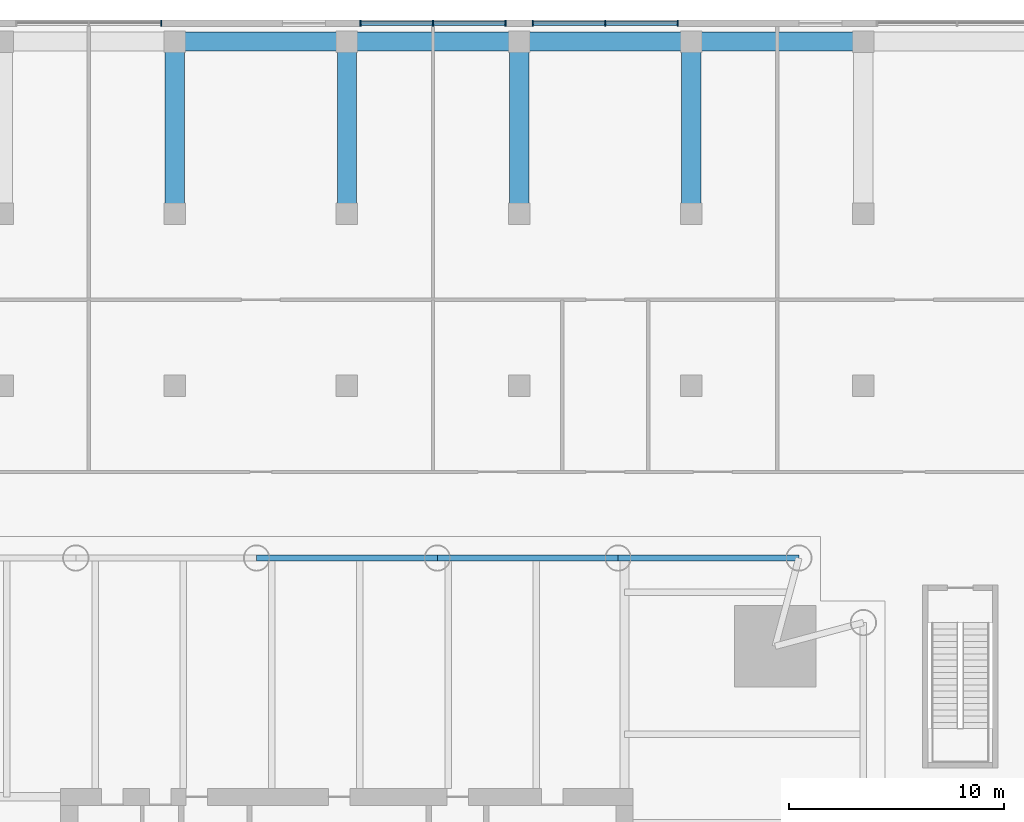
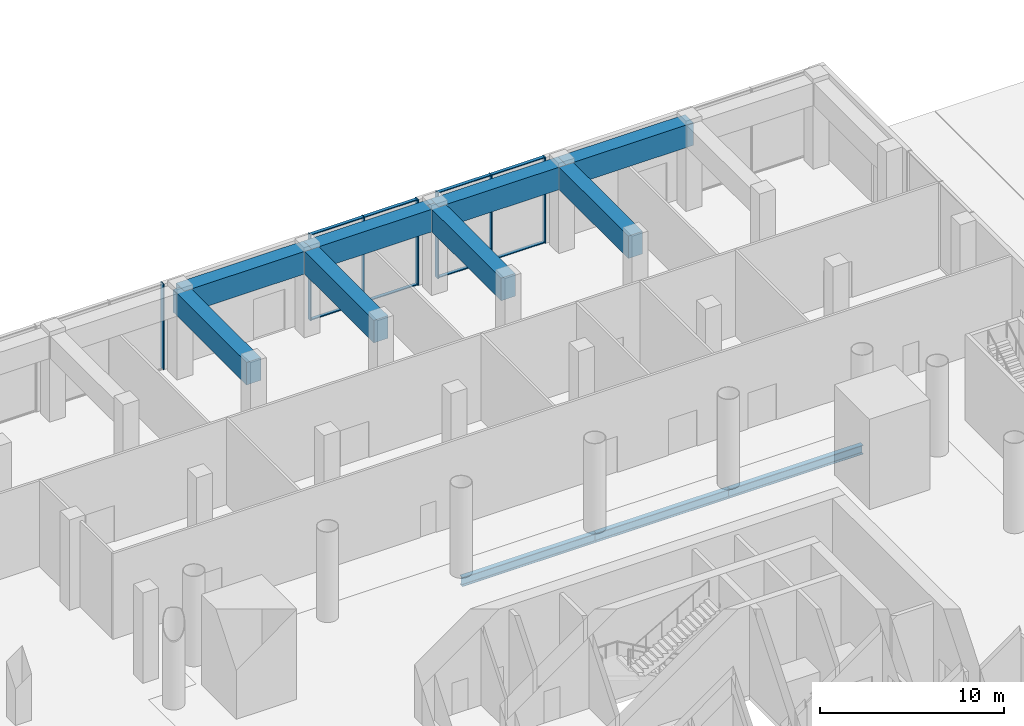
# One storey, part 15 of 39: 15 members, 11 beams, 3 elements without a shape of their own.
"""IFC4 building model written with IfcOpenShell, lengths in metres."""

from ifc_helpers import new_model, si_unit, direction, frame, origin, origin_2d, place, context, subcontext, project, spatial, rectangle, i_section, extrude, material, material_profile, profile_set, type_object, element, aggregate, save


model = new_model("IFC4")

# Units and contexts
model_context = context("Model", 3, precision=1e-05, world=origin(), true_north=direction((0.0, 1.0)))
body_context = subcontext(model_context, "Body", "Model", "MODEL_VIEW")
ifc_project = project(units=[si_unit("LENGTHUNIT", "METRE"), si_unit("AREAUNIT", "SQUARE_METRE"), si_unit("VOLUMEUNIT", "CUBIC_METRE"), si_unit("PLANEANGLEUNIT", "RADIAN"), si_unit("MASSUNIT", "GRAM", prefix="KILO")], contexts=[model_context])

# Site, building, storey
site_placement = place(None, origin())
site = spatial("IfcSite", under=ifc_project, at=site_placement, CompositionType="ELEMENT")
building_placement = place(site_placement, origin())
building = spatial("IfcBuilding", under=site, at=building_placement, Name="Ostroluk Exchange", CompositionType="ELEMENT")
storey_placement = place(building_placement, origin())
storey = spatial("IfcBuildingStorey", under=building, at=storey_placement, Name="L00", CompositionType="ELEMENT", Elevation=0.0)

# Beams
ifc_material_1 = material(Name="Steel S355", Category="steel")
ifc_material_profile_1 = material_profile(ifc_material_1, i_section(OverallWidth=0.300048828125, OverallDepth=0.60009765625, WebThickness=0.015380859375, FlangeThickness=0.030029296875, FilletRadius=0.027099609375, at=origin_2d()), Name="HEB 600")
ifc_profile_set_1 = profile_set([ifc_material_profile_1], Name="Steel S355")
beam_type_1 = type_object("IfcBeamType", Name="Moment-connected edge beam HEB 600", PredefinedType="SPANDREL", material=ifc_profile_set_1)
beam_1_placement = place(storey_placement, frame((66.0, 70.0, -0.60009765625), z_axis=(-1.0, 0.0, 0.0), x_axis=(0.0, -1.0, 0.0)))
element("IfcBeam", 1, at=beam_1_placement, inside=storey, type_object=beam_type_1, Name="T1 north edge beam 1", PredefinedType="SPANDREL", context=body_context, shape_type="SweptSolid", body=[
    extrude(i_section(OverallWidth=0.300048828125, OverallDepth=0.60009765625, WebThickness=0.015380859375, FlangeThickness=0.030029296875, FilletRadius=0.027099609375, at=origin_2d()), origin(), (0.0, 0.0, 1.0), 8.39990234375),
])
beam_2_placement = place(storey_placement, frame((57.60009765625, 70.0, -0.60009765625), z_axis=(-1.0, 0.0, 0.0), x_axis=(0.0, -1.0, 0.0)))
element("IfcBeam", 2, at=beam_2_placement, inside=storey, type_object=beam_type_1, Name="T1 north edge beam 2", PredefinedType="SPANDREL", context=body_context, shape_type="SweptSolid", body=[
    extrude(i_section(OverallWidth=0.300048828125, OverallDepth=0.60009765625, WebThickness=0.015380859375, FlangeThickness=0.030029296875, FilletRadius=0.027099609375, at=origin_2d()), origin(), (0.0, 0.0, 1.0), 8.400146484375),
])
beam_3_placement = place(storey_placement, frame((49.199951171875, 70.0, -0.60009765625), z_axis=(-1.0, 0.0, 0.0), x_axis=(0.0, -1.0, 0.0)))
element("IfcBeam", 3, at=beam_3_placement, inside=storey, type_object=beam_type_1, Name="T1 north edge beam 3", PredefinedType="SPANDREL", context=body_context, shape_type="SweptSolid", body=[
    extrude(i_section(OverallWidth=0.300048828125, OverallDepth=0.60009765625, WebThickness=0.015380859375, FlangeThickness=0.030029296875, FilletRadius=0.027099609375, at=origin_2d()), origin(), (0.0, 0.0, 1.0), 8.39990234375),
])
ifc_material_2 = material(Name="Concrete C50/60", Category="concrete")
ifc_material_profile_2 = material_profile(ifc_material_2, rectangle(XDim=0.89990234375, YDim=1.5, at=origin_2d()), Name="RC 900x1500")
ifc_profile_set_2 = profile_set([ifc_material_profile_2], Name="Concrete C50/60")
beam_type_2 = type_object("IfcBeamType", Name="Podium edge beam RC 900x1500", PredefinedType="BEAM", material=ifc_profile_set_2)
for number, where, z_axis, x_axis, name in (
    (4, (37.0, 94.0, 4.949951171875), (0.0, -1.0, 0.0), (1.0, 0.0, 0.0), "Terrace beam L01 west N 37"),
    (5, (45.0, 94.0, 4.949951171875), (0.0, -1.0, 0.0), (1.0, 0.0, 0.0), "Terrace beam L01 west N 45"),
    (6, (53.0, 94.0, 4.949951171875), (0.0, -1.0, 0.0), (1.0, 0.0, 0.0), "Terrace beam L01 west N 53"),
    (7, (61.0, 94.0, 4.949951171875), (0.0, -1.0, 0.0), (1.0, 0.0, 0.0), "Terrace beam L01 west N 61"),
    (8, (37.0, 94.0, 4.949951171875), (1.0, 0.0, 0.0), (0.0, 1.0, 0.0), "Terrace bay beam L01 Y94-37"),
    (9, (45.0, 94.0, 4.949951171875), (1.0, 0.0, 0.0), (0.0, 1.0, 0.0), "Terrace bay beam L01 Y94-45"),
    (10, (53.0, 94.0, 4.949951171875), (1.0, 0.0, 0.0), (0.0, 1.0, 0.0), "Terrace bay beam L01 Y94-53"),
    (11, (61.0, 94.0, 4.949951171875), (1.0, 0.0, 0.0), (0.0, 1.0, 0.0), "Terrace bay beam L01 Y94-61"),
):
    element("IfcBeam", number, at=place(storey_placement, frame(where, z_axis=z_axis, x_axis=x_axis)), inside=storey, type_object=beam_type_2, Name=name, PredefinedType="BEAM", context=body_context, shape_type="SweptSolid", body=[
        extrude(rectangle(XDim=0.89990234375, YDim=1.5, at=origin_2d()), origin(), (0.0, 0.0, 1.0), 8.0),
    ])

# Curtain wall, members
ifc_material_3 = material(Name="Laminated clear glass", Category="glass")
curtain_wall_type = type_object("IfcCurtainWallType", Name="Podium shopfront", PredefinedType="USERDEFINED", material=ifc_material_3)
curtain_wall_1_placement = place(storey_placement, origin())
curtain_wall_1 = element("IfcCurtainWall", 12, at=curtain_wall_1_placement, inside=storey, type_object=curtain_wall_type, Name="Podium west N shopfront 2", ObjectType="STICK SHOPFRONT", PredefinedType="USERDEFINED")
ifc_material_4 = material(Name="Aluminium mullion", Category="aluminium")
ifc_material_profile_3 = material_profile(ifc_material_4, rectangle(XDim=0.300048828125, YDim=0.06005859375, at=origin_2d()), Name="Shopfront mullion 60 x 300")
ifc_profile_set_3 = profile_set([ifc_material_profile_3], Name="Aluminium mullion")
member_type_1 = type_object("IfcMemberType", Name="Shopfront mullion 60 x 300", PredefinedType="MULLION", material=ifc_profile_set_3)
member_1_placement = place(storey_placement, frame((60.3701171875, 94.85009765625, 0.0), z_axis=(0.0, 0.0, 1.0), x_axis=(0.0, -1.0, 0.0)))
member_1 = element("IfcMember", 13, at=member_1_placement, type_object=member_type_1, Name="CW-SF1 mullion 1", PredefinedType="MULLION", context=body_context, shape_type="SweptSolid", body=[
    extrude(rectangle(XDim=0.300048828125, YDim=0.06005859375, at=origin_2d()), origin(), (0.0, 0.0, 1.0), 5.699951171875),
])
member_2_placement = place(storey_placement, frame((57.0, 94.85009765625, 0.0), z_axis=(0.0, 0.0, 1.0), x_axis=(0.0, -1.0, 0.0)))
member_2 = element("IfcMember", 14, at=member_2_placement, type_object=member_type_1, Name="CW-SF1 mullion 2", PredefinedType="MULLION", context=body_context, shape_type="SweptSolid", body=[
    extrude(rectangle(XDim=0.300048828125, YDim=0.06005859375, at=origin_2d()), origin(), (0.0, 0.0, 1.0), 5.699951171875),
])
member_3_placement = place(storey_placement, frame((53.6298828125, 94.85009765625, 0.0), z_axis=(0.0, 0.0, 1.0), x_axis=(0.0, -1.0, 0.0)))
member_3 = element("IfcMember", 15, at=member_3_placement, type_object=member_type_1, Name="CW-SF1 mullion 3", PredefinedType="MULLION", context=body_context, shape_type="SweptSolid", body=[
    extrude(rectangle(XDim=0.300048828125, YDim=0.06005859375, at=origin_2d()), origin(), (0.0, 0.0, 1.0), 5.699951171875),
])

curtain_wall_2_placement = place(storey_placement, origin())
curtain_wall_2 = element("IfcCurtainWall", 16, at=curtain_wall_2_placement, inside=storey, type_object=curtain_wall_type, Name="Podium west N shopfront 3", ObjectType="STICK SHOPFRONT", PredefinedType="USERDEFINED")
member_4_placement = place(storey_placement, frame((52.3701171875, 94.85009765625, 0.0), z_axis=(0.0, 0.0, 1.0), x_axis=(0.0, -1.0, 0.0)))
member_4 = element("IfcMember", 17, at=member_4_placement, type_object=member_type_1, Name="CW-SF1 mullion 1", PredefinedType="MULLION", context=body_context, shape_type="SweptSolid", body=[
    extrude(rectangle(XDim=0.300048828125, YDim=0.06005859375, at=origin_2d()), origin(), (0.0, 0.0, 1.0), 5.699951171875),
])
member_5_placement = place(storey_placement, frame((49.0, 94.85009765625, 0.0), z_axis=(0.0, 0.0, 1.0), x_axis=(0.0, -1.0, 0.0)))
member_5 = element("IfcMember", 18, at=member_5_placement, type_object=member_type_1, Name="CW-SF1 mullion 2", PredefinedType="MULLION", context=body_context, shape_type="SweptSolid", body=[
    extrude(rectangle(XDim=0.300048828125, YDim=0.06005859375, at=origin_2d()), origin(), (0.0, 0.0, 1.0), 5.699951171875),
])
member_6_placement = place(storey_placement, frame((45.6298828125, 94.85009765625, 0.0), z_axis=(0.0, 0.0, 1.0), x_axis=(0.0, -1.0, 0.0)))
member_6 = element("IfcMember", 19, at=member_6_placement, type_object=member_type_1, Name="CW-SF1 mullion 3", PredefinedType="MULLION", context=body_context, shape_type="SweptSolid", body=[
    extrude(rectangle(XDim=0.300048828125, YDim=0.06005859375, at=origin_2d()), origin(), (0.0, 0.0, 1.0), 5.699951171875),
])

# Curtain wall, member
curtain_wall_3_placement = place(storey_placement, origin())
curtain_wall_3 = element("IfcCurtainWall", 20, at=curtain_wall_3_placement, inside=storey, type_object=curtain_wall_type, Name="Podium west N shopfront 4", ObjectType="STICK SHOPFRONT", PredefinedType="USERDEFINED")
member_7_placement = place(storey_placement, frame((36.3701171875, 94.85009765625, 0.0), z_axis=(0.0, 0.0, 1.0), x_axis=(0.0, -1.0, 0.0)))
member_7 = element("IfcMember", 21, at=member_7_placement, type_object=member_type_1, Name="CW-SF1 mullion 1", PredefinedType="MULLION", context=body_context, shape_type="SweptSolid", body=[
    extrude(rectangle(XDim=0.300048828125, YDim=0.06005859375, at=origin_2d()), origin(), (0.0, 0.0, 1.0), 5.699951171875),
])
aggregate(curtain_wall_3, [member_7])

# Member
ifc_material_5 = material(Name="Aluminium mullion", Category="aluminium")
ifc_material_profile_4 = material_profile(ifc_material_5, rectangle(XDim=0.199951171875, YDim=0.06005859375, at=origin_2d()), Name="Shopfront transom 60 x 200")
ifc_profile_set_4 = profile_set([ifc_material_profile_4], Name="Aluminium mullion")
member_type_2 = type_object("IfcMemberType", Name="Shopfront transom 60 x 200", PredefinedType="USERDEFINED", material=ifc_profile_set_4)
member_8_placement = place(storey_placement, frame((60.340087890625, 94.85009765625, 0.030029296875), z_axis=(-1.0, 0.0, 0.0), x_axis=(0.0, -1.0, 0.0)))
member_8 = element("IfcMember", 22, at=member_8_placement, type_object=member_type_2, Name="CW-SF1 transom 1.1", ObjectType="TRANSOM", PredefinedType="USERDEFINED", context=body_context, shape_type="SweptSolid", body=[
    extrude(rectangle(XDim=0.199951171875, YDim=0.06005859375, at=origin_2d()), origin(), (0.0, 0.0, 1.0), 3.31005859375),
])

member_9_placement = place(storey_placement, frame((60.340087890625, 94.85009765625, 5.669921875), z_axis=(-1.0, 0.0, 0.0), x_axis=(0.0, -1.0, 0.0)))
member_9 = element("IfcMember", 23, at=member_9_placement, type_object=member_type_2, Name="CW-SF1 transom 1.2", ObjectType="TRANSOM", PredefinedType="USERDEFINED", context=body_context, shape_type="SweptSolid", body=[
    extrude(rectangle(XDim=0.199951171875, YDim=0.06005859375, at=origin_2d()), origin(), (0.0, 0.0, 1.0), 3.31005859375),
])

member_10_placement = place(storey_placement, frame((56.969970703125, 94.85009765625, 0.030029296875), z_axis=(-1.0, 0.0, 0.0), x_axis=(0.0, -1.0, 0.0)))
member_10 = element("IfcMember", 24, at=member_10_placement, type_object=member_type_2, Name="CW-SF1 transom 2.1", ObjectType="TRANSOM", PredefinedType="USERDEFINED", context=body_context, shape_type="SweptSolid", body=[
    extrude(rectangle(XDim=0.199951171875, YDim=0.06005859375, at=origin_2d()), origin(), (0.0, 0.0, 1.0), 3.31005859375),
])

member_11_placement = place(storey_placement, frame((56.969970703125, 94.85009765625, 5.669921875), z_axis=(-1.0, 0.0, 0.0), x_axis=(0.0, -1.0, 0.0)))
member_11 = element("IfcMember", 25, at=member_11_placement, type_object=member_type_2, Name="CW-SF1 transom 2.2", ObjectType="TRANSOM", PredefinedType="USERDEFINED", context=body_context, shape_type="SweptSolid", body=[
    extrude(rectangle(XDim=0.199951171875, YDim=0.06005859375, at=origin_2d()), origin(), (0.0, 0.0, 1.0), 3.31005859375),
])

aggregate(curtain_wall_1, [member_1, member_2, member_3, member_8, member_9, member_10, member_11])

member_12_placement = place(storey_placement, frame((52.340087890625, 94.85009765625, 0.030029296875), z_axis=(-1.0, 0.0, 0.0), x_axis=(0.0, -1.0, 0.0)))
member_12 = element("IfcMember", 26, at=member_12_placement, type_object=member_type_2, Name="CW-SF1 transom 1.1", ObjectType="TRANSOM", PredefinedType="USERDEFINED", context=body_context, shape_type="SweptSolid", body=[
    extrude(rectangle(XDim=0.199951171875, YDim=0.06005859375, at=origin_2d()), origin(), (0.0, 0.0, 1.0), 3.31005859375),
])

member_13_placement = place(storey_placement, frame((52.340087890625, 94.85009765625, 5.669921875), z_axis=(-1.0, 0.0, 0.0), x_axis=(0.0, -1.0, 0.0)))
member_13 = element("IfcMember", 27, at=member_13_placement, type_object=member_type_2, Name="CW-SF1 transom 1.2", ObjectType="TRANSOM", PredefinedType="USERDEFINED", context=body_context, shape_type="SweptSolid", body=[
    extrude(rectangle(XDim=0.199951171875, YDim=0.06005859375, at=origin_2d()), origin(), (0.0, 0.0, 1.0), 3.31005859375),
])

member_14_placement = place(storey_placement, frame((48.969970703125, 94.85009765625, 0.030029296875), z_axis=(-1.0, 0.0, 0.0), x_axis=(0.0, -1.0, 0.0)))
member_14 = element("IfcMember", 28, at=member_14_placement, type_object=member_type_2, Name="CW-SF1 transom 2.1", ObjectType="TRANSOM", PredefinedType="USERDEFINED", context=body_context, shape_type="SweptSolid", body=[
    extrude(rectangle(XDim=0.199951171875, YDim=0.06005859375, at=origin_2d()), origin(), (0.0, 0.0, 1.0), 3.31005859375),
])

member_15_placement = place(storey_placement, frame((48.969970703125, 94.85009765625, 5.669921875), z_axis=(-1.0, 0.0, 0.0), x_axis=(0.0, -1.0, 0.0)))
member_15 = element("IfcMember", 29, at=member_15_placement, type_object=member_type_2, Name="CW-SF1 transom 2.2", ObjectType="TRANSOM", PredefinedType="USERDEFINED", context=body_context, shape_type="SweptSolid", body=[
    extrude(rectangle(XDim=0.199951171875, YDim=0.06005859375, at=origin_2d()), origin(), (0.0, 0.0, 1.0), 3.31005859375),
])

aggregate(curtain_wall_2, [member_4, member_5, member_6, member_12, member_13, member_14, member_15])

save(model, "model.ifc")
